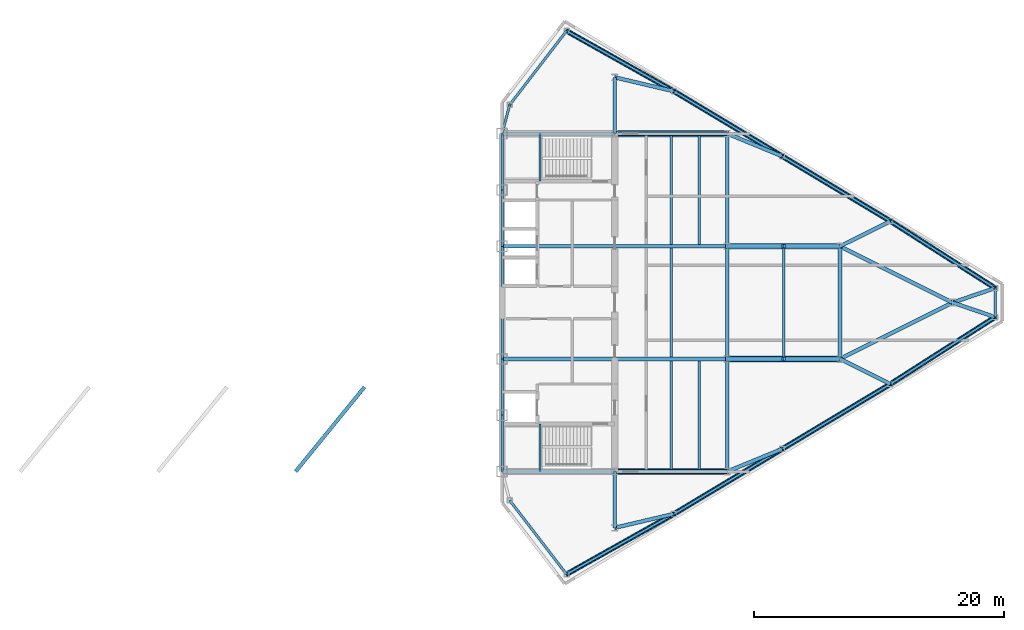
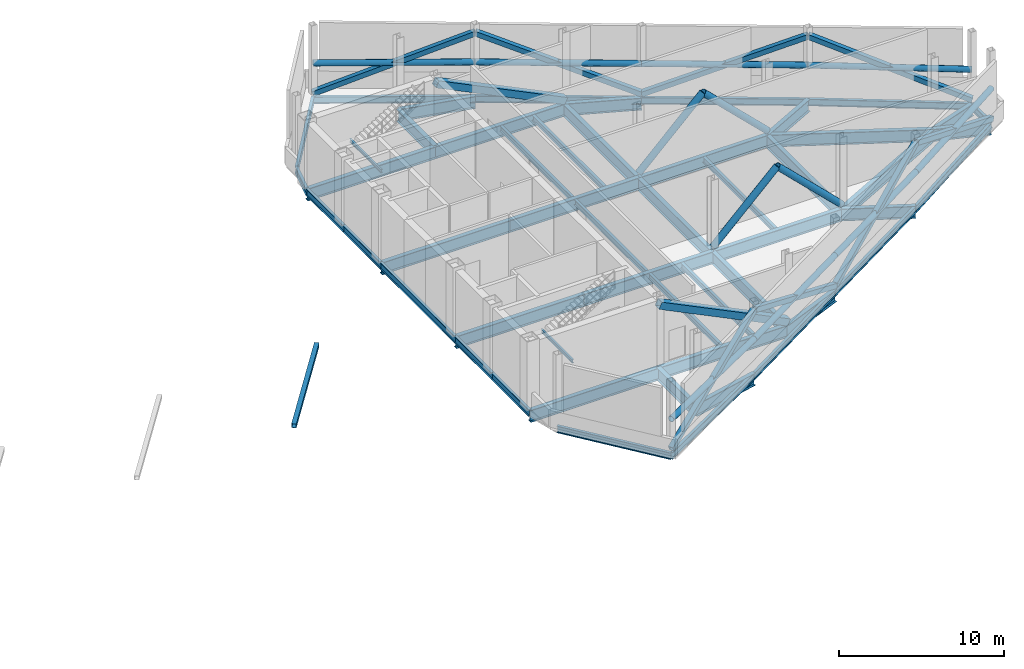
# One storey, part 6 of 13: 51 beams, 23 members.
"""IFC4 building model written with IfcOpenShell, lengths in metres."""

from ifc_helpers import new_model, si_unit, direction, frame, origin, origin_2d, place, context, subcontext, project, spatial, hollow_rectangle, hollow_circle, i_section, extrude, source, transform, mapped, material, material_profile, profile_set, type_object, type_shapes, element, save


model = new_model("IFC4")

# Units and contexts
model_context = context("Model", 3, precision=1e-05, world=origin(), true_north=direction((0.0, 1.0)))
body_context = subcontext(model_context, "Body", "Model", "MODEL_VIEW")
ifc_project = project(units=[si_unit("LENGTHUNIT", "METRE"), si_unit("AREAUNIT", "SQUARE_METRE"), si_unit("VOLUMEUNIT", "CUBIC_METRE"), si_unit("PLANEANGLEUNIT", "RADIAN"), si_unit("MASSUNIT", "GRAM", prefix="KILO")], contexts=[model_context])

# Site, building, storey
site_placement = place(None, origin())
site = spatial("IfcSite", under=ifc_project, at=site_placement, CompositionType="ELEMENT")
building_placement = place(site_placement, origin())
building = spatial("IfcBuilding", under=site, at=building_placement, Name="Seokmaru Belvedere", CompositionType="ELEMENT")
storey_placement = place(building_placement, frame((0.0, 0.0, 224.699951171875)))
storey = spatial("IfcBuildingStorey", under=building, at=storey_placement, Name="L60", CompositionType="ELEMENT", Elevation=224.699951171875)

# Beams
ifc_material_1 = material(Name="Steel SM355 (355 MPa)", Category="steel")
ifc_material_profile_1 = material_profile(ifc_material_1, i_section(OverallWidth=0.199951171875, OverallDepth=0.5, WebThickness=0.010009765625, FlangeThickness=0.01611328125, at=origin_2d()), Name="H-500x200x10x16")
ifc_profile_set_1 = profile_set([ifc_material_profile_1], Name="Steel SM355 (355 MPa)")
beam_type_1 = type_object("IfcBeamType", Name="Perimeter Spandrel Beam H-500", PredefinedType="SPANDREL", material=ifc_profile_set_1)
shared_shape_1 = source(origin(), body_context, "Body", "SweptSolid", [
    extrude(i_section(OverallWidth=0.199951171875, OverallDepth=0.5, WebThickness=0.010009765625, FlangeThickness=0.01611328125, at=origin_2d()), origin(), (0.0, 0.0, 1.0), 4.5),
])
for number, where, z_axis, x_axis, name in (
    (1, (27.5, -13.5, -0.510009765625), (0.0, 1.0, 0.0), (-1.0, 0.0, 0.0), "L60 E Portal Spine Spandrel 1"),
    (2, (27.5, -9.0, -0.510009765625), (0.0, 1.0, 0.0), (-1.0, 0.0, 0.0), "L60 E Portal Spine Spandrel 2"),
    (3, (27.5, 4.5, -0.510009765625), (0.0, 1.0, 0.0), (-1.0, 0.0, 0.0), "L60 E Portal Spine Spandrel 4"),
    (4, (27.5, 9.0, -0.510009765625), (0.0, 1.0, 0.0), (-1.0, 0.0, 0.0), "L60 E Portal Spine Spandrel 5"),
):
    element("IfcBeam", number, at=place(storey_placement, frame(where, z_axis=z_axis, x_axis=x_axis)), inside=storey, type_object=beam_type_1, Name=name, PredefinedType="SPANDREL", context=body_context, shape_type="MappedRepresentation", body=[
        mapped(shared_shape_1, transform((0.0, 0.0, 0.0), scale=1.0)),
    ])
shared_shape_2 = source(origin(), body_context, "Body", "SweptSolid", [
    extrude(i_section(OverallWidth=0.199951171875, OverallDepth=0.5, WebThickness=0.010009765625, FlangeThickness=0.01611328125, at=origin_2d()), origin(), (0.0, 0.0, 1.0), 9.0),
])
beam_1_placement = place(storey_placement, frame((27.5, -4.5, -0.510009765625), z_axis=(0.0, 1.0, 0.0), x_axis=(-1.0, 0.0, 0.0)))
element("IfcBeam", 5, at=beam_1_placement, inside=storey, type_object=beam_type_1, Name="L60 E Portal Spine Spandrel 3", PredefinedType="SPANDREL", context=body_context, shape_type="MappedRepresentation", body=[
    mapped(shared_shape_2, transform((0.0, 0.0, 0.0), scale=1.0)),
])
ifc_material_profile_2 = material_profile(ifc_material_1, i_section(OverallWidth=0.300048828125, OverallDepth=0.89990234375, WebThickness=0.01611328125, FlangeThickness=0.028076171875, at=origin_2d()), Name="H-900x300x16x28")
ifc_profile_set_2 = profile_set([ifc_material_profile_2], Name="Steel SM355 (355 MPa)")
beam_type_2 = type_object("IfcBeamType", Name="Refuge Floor Girder H-900", PredefinedType="BEAM", material=ifc_profile_set_2)
shared_shape_3 = source(origin(), body_context, "Body", "SweptSolid", [
    extrude(i_section(OverallWidth=0.300048828125, OverallDepth=0.89990234375, WebThickness=0.01611328125, FlangeThickness=0.028076171875, at=origin_2d()), origin(), (0.0, 0.0, 1.0), 4.5),
])
for number, where, z_axis, x_axis, name in (
    (6, (36.5, -18.0, -0.7099609375), (0.0, 1.0, 0.0), (-1.0, 0.0, 0.0), "L60 E Core Shoulder Girder S"),
    (7, (36.5, 13.5, -0.7099609375), (0.0, 1.0, 0.0), (-1.0, 0.0, 0.0), "L60 E Core Shoulder Girder N"),
):
    element("IfcBeam", number, at=place(storey_placement, frame(where, z_axis=z_axis, x_axis=x_axis)), inside=storey, type_object=beam_type_2, Name=name, PredefinedType="BEAM", context=body_context, shape_type="MappedRepresentation", body=[
        mapped(shared_shape_3, transform((0.0, 0.0, 0.0), scale=1.0)),
    ])
shared_shape_4 = source(origin(), body_context, "Body", "SweptSolid", [
    extrude(i_section(OverallWidth=0.300048828125, OverallDepth=0.89990234375, WebThickness=0.01611328125, FlangeThickness=0.028076171875, at=origin_2d()), origin(), (0.0, 0.0, 1.0), 9.0),
])
for number, where, z_axis, x_axis, name in (
    (8, (45.5, -13.5, -0.7099609375), (0.0, 1.0, 0.0), (-1.0, 0.0, 0.0), "L60 E Interior Grid Girder 1"),
    (9, (45.5, -4.5, -0.7099609375), (0.0, 1.0, 0.0), (-1.0, 0.0, 0.0), "L60 E Interior Grid Girder 2"),
    (10, (45.5, 4.5, -0.7099609375), (0.0, 1.0, 0.0), (-1.0, 0.0, 0.0), "L60 E Interior Grid Girder 3"),
    (11, (27.5, -13.5, -0.7099609375), (1.0, 0.0, 0.0), (0.0, 1.0, 0.0), "L60 E Core Tie Girder 1"),
    (12, (36.5, -13.5, -0.7099609375), (1.0, 0.0, 0.0), (0.0, 1.0, 0.0), "L60 E Wing Primary Girder 1"),
    (13, (27.5, -4.5, -0.7099609375), (1.0, 0.0, 0.0), (0.0, 1.0, 0.0), "L60 E Core Tie Girder 2"),
    (14, (36.5, -4.5, -0.7099609375), (1.0, 0.0, 0.0), (0.0, 1.0, 0.0), "L60 E Wing Primary Girder 2"),
    (15, (27.5, 4.5, -0.7099609375), (1.0, 0.0, 0.0), (0.0, 1.0, 0.0), "L60 E Core Tie Girder 3"),
    (16, (36.5, 4.5, -0.7099609375), (1.0, 0.0, 0.0), (0.0, 1.0, 0.0), "L60 E Wing Primary Girder 3"),
    (17, (27.5, 13.5, -0.7099609375), (1.0, 0.0, 0.0), (0.0, 1.0, 0.0), "L60 E Core Tie Girder 4"),
    (18, (36.5, 13.5, -0.7099609375), (1.0, 0.0, 0.0), (0.0, 1.0, 0.0), "L60 E Wing Primary Girder 4"),
    (19, (45.5, -4.5, -0.7099609375), (1.0, 0.0, 0.0), (0.0, 1.0, 0.0), "L60 E Outer Wing Girder 1"),
    (20, (45.5, 4.5, -0.7099609375), (1.0, 0.0, 0.0), (0.0, 1.0, 0.0), "L60 E Outer Wing Girder 2"),
    (21, (54.5, -4.5, -0.7099609375), (0.0, 1.0, 0.0), (-1.0, 0.0, 0.0), "L60 E Apex Frame Girder"),
):
    element("IfcBeam", number, at=place(storey_placement, frame(where, z_axis=z_axis, x_axis=x_axis)), inside=storey, type_object=beam_type_2, Name=name, PredefinedType="BEAM", context=body_context, shape_type="MappedRepresentation", body=[
        mapped(shared_shape_4, transform((0.0, 0.0, 0.0), scale=1.0)),
    ])
shared_shape_5 = source(origin(), body_context, "Body", "SweptSolid", [
    extrude(i_section(OverallWidth=0.300048828125, OverallDepth=0.89990234375, WebThickness=0.01611328125, FlangeThickness=0.028076171875, at=origin_2d()), origin(), (0.0, 0.0, 1.0), 10.062255859375),
])
for number, where, z_axis, x_axis, name in (
    (22, (54.5, -4.5, -0.7099609375), (0.894427191, 0.4472135955, 0.0), (-0.4472135955, 0.894427191, 0.0), "L60 E Apex Converging Girder 1"),
    (23, (54.5, 4.5, -0.7099609375), (0.894427191, -0.4472135955, 0.0), (0.4472135955, 0.894427191, 0.0), "L60 E Apex Converging Girder 2"),
):
    element("IfcBeam", number, at=place(storey_placement, frame(where, z_axis=z_axis, x_axis=x_axis)), inside=storey, type_object=beam_type_2, Name=name, PredefinedType="BEAM", context=body_context, shape_type="MappedRepresentation", body=[
        mapped(shared_shape_5, transform((0.0, 0.0, 0.0), scale=1.0)),
    ])
ifc_material_profile_3 = material_profile(ifc_material_1, i_section(OverallWidth=0.199951171875, OverallDepth=0.39990234375, WebThickness=0.008056640625, FlangeThickness=0.012939453125, at=origin_2d()), Name="H-400x200x8x13")
ifc_profile_set_3 = profile_set([ifc_material_profile_3], Name="Steel SM355 (355 MPa)")
beam_type_3 = type_object("IfcBeamType", Name="Secondary Floor Joist H-400", PredefinedType="JOIST", material=ifc_profile_set_3)
shared_shape_6 = source(origin(), body_context, "Body", "SweptSolid", [
    extrude(i_section(OverallWidth=0.199951171875, OverallDepth=0.39990234375, WebThickness=0.008056640625, FlangeThickness=0.012939453125, at=origin_2d()), origin(), (0.0, 0.0, 1.0), 8.68994140625),
])
type_shapes(beam_type_3, [shared_shape_6])
for number, where, z_axis, x_axis, name in (
    (24, (43.25, -13.344970703125, -0.4599609375), (0.0, 1.0, 0.0), (-1.0, 0.0, 0.0), "L60 E Wing Inner Secondary Joist 1"),
    (25, (43.25, 4.655029296875, -0.4599609375), (0.0, 1.0, 0.0), (-1.0, 0.0, 0.0), "L60 E Wing Inner Secondary Joist 2"),
    (26, (41.0, -13.344970703125, -0.4599609375), (0.0, 1.0, 0.0), (-1.0, 0.0, 0.0), "L60 E Secondary Floor Joist 1"),
    (27, (41.0, -4.344970703125, -0.4599609375), (0.0, 1.0, 0.0), (-1.0, 0.0, 0.0), "L60 E Secondary Floor Joist 2"),
    (28, (41.0, 4.655029296875, -0.4599609375), (0.0, 1.0, 0.0), (-1.0, 0.0, 0.0), "L60 E Secondary Floor Joist 3"),
    (29, (50.0, -4.344970703125, -0.4599609375), (0.0, 1.0, 0.0), (-1.0, 0.0, 0.0), "L60 E Outer Bay Secondary Joist"),
):
    element("IfcBeam", number, at=place(storey_placement, frame(where, z_axis=z_axis, x_axis=x_axis)), inside=storey, type_object=beam_type_3, Name=name, PredefinedType="JOIST", context=body_context, shape_type="MappedRepresentation", body=[
        mapped(shared_shape_6, transform((0.0, 0.0, 0.0), scale=1.0)),
    ])
shared_shape_7 = source(origin(), body_context, "Body", "SweptSolid", [
    extrude(i_section(OverallWidth=0.199951171875, OverallDepth=0.5, WebThickness=0.010009765625, FlangeThickness=0.01611328125, at=origin_2d()), origin(), (0.0, 0.0, 1.0), 9.842041015625),
])
for number, where, z_axis, x_axis, name in (
    (30, (32.649658203125, -21.71044921875, -0.510009765625), (0.871782151818, 0.489893743349, 0.0), (-0.489893743349, 0.871782151818, 0.0), "L60 E Faceted Flank Spandrel S-1"),
    (31, (32.649658203125, 21.71044921875, -0.510009765625), (0.871782151818, -0.489893743349, 0.0), (0.489893743349, 0.871782151818, 0.0), "L60 E Faceted Flank Spandrel N-1"),
):
    element("IfcBeam", number, at=place(storey_placement, frame(where, z_axis=z_axis, x_axis=x_axis)), inside=storey, type_object=beam_type_1, Name=name, PredefinedType="SPANDREL", context=body_context, shape_type="MappedRepresentation", body=[
        mapped(shared_shape_7, transform((0.0, 0.0, 0.0), scale=1.0)),
    ])
shared_shape_8 = source(origin(), body_context, "Body", "SweptSolid", [
    extrude(i_section(OverallWidth=0.199951171875, OverallDepth=0.5, WebThickness=0.010009765625, FlangeThickness=0.01611328125, at=origin_2d()), origin(), (0.0, 0.0, 1.0), 10.087646484375),
])
for number, where, z_axis, x_axis, name in (
    (32, (41.229736328125, -16.888916015625, -0.510009765625), (0.857499332045, 0.514485078056, 0.0), (-0.514485078056, 0.857499332045, 0.0), "L60 E Faceted Flank Spandrel S-2"),
    (33, (49.8798828125, -11.698974609375, -0.510009765625), (0.857488654804, 0.514502873542, 0.0), (-0.514502873542, 0.857488654804, 0.0), "L60 E Faceted Flank Spandrel S-3"),
    (34, (41.229736328125, 16.888916015625, -0.510009765625), (0.857499332045, -0.514485078056, 0.0), (0.514485078056, 0.857499332045, 0.0), "L60 E Faceted Flank Spandrel N-2"),
    (35, (49.8798828125, 11.698974609375, -0.510009765625), (0.857488654804, -0.514502873542, 0.0), (0.514502873542, 0.857488654804, 0.0), "L60 E Faceted Flank Spandrel N-3"),
):
    element("IfcBeam", number, at=place(storey_placement, frame(where, z_axis=z_axis, x_axis=x_axis)), inside=storey, type_object=beam_type_1, Name=name, PredefinedType="SPANDREL", context=body_context, shape_type="MappedRepresentation", body=[
        mapped(shared_shape_8, transform((0.0, 0.0, 0.0), scale=1.0)),
    ])
shared_shape_9 = source(origin(), body_context, "Body", "SweptSolid", [
    extrude(i_section(OverallWidth=0.199951171875, OverallDepth=0.5, WebThickness=0.010009765625, FlangeThickness=0.01611328125, at=origin_2d()), origin(), (0.0, 0.0, 1.0), 9.932861328125),
])
for number, where, z_axis, x_axis, name in (
    (36, (58.530029296875, -6.5087890625, -0.510009765625), (0.842651960357, 0.538458609093, 0.0), (-0.538458609093, 0.842651960357, 0.0), "L60 E Faceted Flank Spandrel S-4"),
    (37, (58.530029296875, 6.5087890625, -0.510009765625), (0.842651960357, -0.538458609093, 0.0), (0.538458609093, 0.842651960357, 0.0), "L60 E Faceted Flank Spandrel N-4"),
):
    element("IfcBeam", number, at=place(storey_placement, frame(where, z_axis=z_axis, x_axis=x_axis)), inside=storey, type_object=beam_type_1, Name=name, PredefinedType="SPANDREL", context=body_context, shape_type="MappedRepresentation", body=[
        mapped(shared_shape_9, transform((0.0, 0.0, 0.0), scale=1.0)),
    ])
shared_shape_10 = source(origin(), body_context, "Body", "SweptSolid", [
    extrude(i_section(OverallWidth=0.199951171875, OverallDepth=0.5, WebThickness=0.010009765625, FlangeThickness=0.01611328125, at=origin_2d()), origin(), (0.0, 0.0, 1.0), 2.32080078125),
])
beam_2_placement = place(storey_placement, frame((66.89990234375, -1.160400390625, -0.510009765625), z_axis=(0.0, 1.0, 0.0), x_axis=(-1.0, 0.0, 0.0)))
element("IfcBeam", 38, at=beam_2_placement, inside=storey, type_object=beam_type_1, Name="L60 E Faceted Apex Spandrel", PredefinedType="SPANDREL", context=body_context, shape_type="MappedRepresentation", body=[
    mapped(shared_shape_10, transform((0.0, 0.0, 0.0), scale=1.0)),
])
shared_shape_11 = source(origin(), body_context, "Body", "SweptSolid", [
    extrude(i_section(OverallWidth=0.199951171875, OverallDepth=0.5, WebThickness=0.010009765625, FlangeThickness=0.01611328125, at=origin_2d()), origin(), (0.0, 0.0, 1.0), 7.4619140625),
])
for number, where, z_axis, x_axis, name in (
    (39, (32.649658203125, -21.71044921875, -0.510009765625), (-0.609702854945, 0.792630070507, 0.0), (-0.792630070507, -0.609702854945, 0.0), "L60 E Shoulder Chamfer Spandrel S"),
    (40, (32.649658203125, 21.71044921875, -0.510009765625), (-0.609702854945, -0.792630070507, 0.0), (0.792630070507, -0.609702854945, 0.0), "L60 E Shoulder Chamfer Spandrel N"),
):
    element("IfcBeam", number, at=place(storey_placement, frame(where, z_axis=z_axis, x_axis=x_axis)), inside=storey, type_object=beam_type_1, Name=name, PredefinedType="SPANDREL", context=body_context, shape_type="MappedRepresentation", body=[
        mapped(shared_shape_11, transform((0.0, 0.0, 0.0), scale=1.0)),
    ])
shared_shape_12 = source(origin(), body_context, "Body", "SweptSolid", [
    extrude(i_section(OverallWidth=0.199951171875, OverallDepth=0.5, WebThickness=0.010009765625, FlangeThickness=0.01611328125, at=origin_2d()), origin(), (0.0, 0.0, 1.0), 2.373046875),
])
type_shapes(beam_type_1, [shared_shape_1, shared_shape_2, shared_shape_7, shared_shape_8, shared_shape_9, shared_shape_10, shared_shape_11, shared_shape_12])
beam_3_placement = place(storey_placement, frame((28.10009765625, 15.7958984375, -0.510009765625), z_axis=(-0.252882558842, -0.967496982648, 0.0), x_axis=(0.967496982648, -0.252882558842, 0.0)))
element("IfcBeam", 41, at=beam_3_placement, inside=storey, type_object=beam_type_1, Name="L60 E Shoulder Spine Spandrel N", PredefinedType="SPANDREL", context=body_context, shape_type="MappedRepresentation", body=[
    mapped(shared_shape_12, transform((0.0, 0.0, 0.0), scale=1.0)),
])
shared_shape_13 = source(origin(), body_context, "Body", "SweptSolid", [
    extrude(i_section(OverallWidth=0.300048828125, OverallDepth=0.89990234375, WebThickness=0.01611328125, FlangeThickness=0.028076171875, at=origin_2d()), origin(), (0.0, 0.0, 1.0), 4.8583984375),
])
for number, where, z_axis, x_axis, name in (
    (42, (41.229736328125, -16.888916015625, -0.7099609375), (-0.97349948295, -0.228689214211, 0.0), (0.228689214211, -0.97349948295, 0.0), "L60 E Flank Radial Floor Girder S-1"),
    (43, (41.229736328125, 16.888916015625, -0.7099609375), (-0.97349948295, 0.228689214211, 0.0), (-0.228689214211, -0.97349948295, 0.0), "L60 E Flank Radial Floor Girder N-1"),
):
    element("IfcBeam", number, at=place(storey_placement, frame(where, z_axis=z_axis, x_axis=x_axis)), inside=storey, type_object=beam_type_2, Name=name, PredefinedType="BEAM", context=body_context, shape_type="MappedRepresentation", body=[
        mapped(shared_shape_13, transform((0.0, 0.0, 0.0), scale=1.0)),
    ])
shared_shape_14 = source(origin(), body_context, "Body", "SweptSolid", [
    extrude(i_section(OverallWidth=0.300048828125, OverallDepth=0.89990234375, WebThickness=0.01611328125, FlangeThickness=0.028076171875, at=origin_2d()), origin(), (0.0, 0.0, 1.0), 4.73583984375),
])
for number, where, z_axis, x_axis, name in (
    (44, (49.8798828125, -11.698974609375, -0.7099609375), (-0.924860562953, -0.380306375301, 0.0), (0.380306375301, -0.924860562953, 0.0), "L60 E Flank Radial Floor Girder S-2"),
    (45, (49.8798828125, 11.698974609375, -0.7099609375), (-0.924860562953, 0.380306375301, 0.0), (-0.380306375301, -0.924860562953, 0.0), "L60 E Flank Radial Floor Girder N-2"),
):
    element("IfcBeam", number, at=place(storey_placement, frame(where, z_axis=z_axis, x_axis=x_axis)), inside=storey, type_object=beam_type_2, Name=name, PredefinedType="BEAM", context=body_context, shape_type="MappedRepresentation", body=[
        mapped(shared_shape_14, transform((0.0, 0.0, 0.0), scale=1.0)),
    ])
shared_shape_15 = source(origin(), body_context, "Body", "SweptSolid", [
    extrude(i_section(OverallWidth=0.300048828125, OverallDepth=0.89990234375, WebThickness=0.01611328125, FlangeThickness=0.028076171875, at=origin_2d()), origin(), (0.0, 0.0, 1.0), 4.5029296875),
])
for number, where, z_axis, x_axis, name in (
    (46, (58.530029296875, -6.5087890625, -0.7099609375), (-0.894979532585, 0.446107202648, 0.0), (-0.446107202648, -0.894979532585, 0.0), "L60 E Flank Radial Floor Girder S-3"),
    (47, (58.530029296875, 6.5087890625, -0.7099609375), (-0.894979532585, -0.446107202648, 0.0), (0.446107202648, -0.894979532585, 0.0), "L60 E Flank Radial Floor Girder N-3"),
):
    element("IfcBeam", number, at=place(storey_placement, frame(where, z_axis=z_axis, x_axis=x_axis)), inside=storey, type_object=beam_type_2, Name=name, PredefinedType="BEAM", context=body_context, shape_type="MappedRepresentation", body=[
        mapped(shared_shape_15, transform((0.0, 0.0, 0.0), scale=1.0)),
    ])
shared_shape_16 = source(origin(), body_context, "Body", "SweptSolid", [
    extrude(i_section(OverallWidth=0.300048828125, OverallDepth=0.89990234375, WebThickness=0.01611328125, FlangeThickness=0.028076171875, at=origin_2d()), origin(), (0.0, 0.0, 1.0), 3.592529296875),
])
type_shapes(beam_type_2, [shared_shape_3, shared_shape_4, shared_shape_5, shared_shape_13, shared_shape_14, shared_shape_15, shared_shape_16])
for number, where, z_axis, x_axis, name in (
    (48, (66.89990234375, -1.160400390625, -0.7099609375), (-0.946395973048, 0.323008764893, 0.0), (-0.323008764893, -0.946395973048, 0.0), "L60 E Apex Radial Floor Girder 1"),
    (49, (66.89990234375, 1.160400390625, -0.7099609375), (-0.946395973048, -0.323008764893, 0.0), (0.323008764893, -0.946395973048, 0.0), "L60 E Apex Radial Floor Girder 2"),
):
    element("IfcBeam", number, at=place(storey_placement, frame(where, z_axis=z_axis, x_axis=x_axis)), inside=storey, type_object=beam_type_2, Name=name, PredefinedType="BEAM", context=body_context, shape_type="MappedRepresentation", body=[
        mapped(shared_shape_16, transform((0.0, 0.0, 0.0), scale=1.0)),
    ])

# Members
ifc_material_2 = material(Name="Steel HSA650 (650 MPa)", Category="steel")
ifc_material_profile_4 = material_profile(ifc_material_2, hollow_rectangle(XDim=0.5, YDim=0.5, WallThickness=0.02001953125, at=origin_2d()), Name="HSS-500x500x20")
ifc_profile_set_4 = profile_set([ifc_material_profile_4], Name="Steel HSA650 (650 MPa)")
member_type_1 = type_object("IfcMemberType", Name="Outrigger Truss Diagonal HSS-500", PredefinedType="BRACE", material=ifc_profile_set_4)
shared_shape_17 = source(origin(), body_context, "Body", "SweptSolid", [
    extrude(hollow_rectangle(XDim=0.5, YDim=0.5, WallThickness=0.02001953125, at=origin_2d()), origin(), (0.0, 0.0, 1.0), 10.013671875),
])
type_shapes(member_type_1, [shared_shape_17])
for number, where, z_axis, x_axis, name in (
    (50, (45.5, -13.5, 0.0), (-0.898772663323, 0.0, 0.438414985674), (0.0, -1.0, 0.0), "L60 E Outrigger Truss Diagonal 1A"),
    (51, (45.5, 13.5, 0.0), (-0.898772663323, 0.0, 0.438414985674), (0.0, -1.0, 0.0), "L60 E Outrigger Truss Diagonal 4A"),
):
    element("IfcMember", number, at=place(storey_placement, frame(where, z_axis=z_axis, x_axis=x_axis)), inside=storey, type_object=member_type_1, Name=name, PredefinedType="BRACE", context=body_context, shape_type="MappedRepresentation", body=[
        mapped(shared_shape_17, transform((0.0, 0.0, 0.0), scale=1.0)),
    ])
ifc_material_profile_5 = material_profile(ifc_material_2, hollow_circle(Radius=0.228515625, WallThickness=0.01611328125, at=origin_2d()), Name="CHS-457.2x16.0")
ifc_profile_set_5 = profile_set([ifc_material_profile_5], Name="Steel HSA650 (650 MPa)")
member_type_2 = type_object("IfcMemberType", Name="Outrigger Tie Strut CHS-457", PredefinedType="BRACE", material=ifc_profile_set_5)
shared_shape_18 = source(origin(), body_context, "Body", "SweptSolid", [
    extrude(hollow_circle(Radius=0.228515625, WallThickness=0.01611328125, at=origin_2d()), origin(), (0.0, 0.0, 1.0), 6.286865234375),
])
type_shapes(member_type_2, [shared_shape_18])
for number, where, z_axis, x_axis, name in (
    (52, (45.5, -4.5, 0.0), (0.715790470288, 0.0, 0.69831511701), (0.0, 1.0, 0.0), "L60 E Outrigger Truss Diagonal 2A"),
    (53, (54.5, -4.5, 0.0), (-0.715790470288, 0.0, 0.69831511701), (0.0, -1.0, 0.0), "L60 E Outrigger Truss Diagonal 2B"),
    (54, (45.5, 4.5, 0.0), (0.715790470288, 0.0, 0.69831511701), (0.0, 1.0, 0.0), "L60 E Outrigger Truss Diagonal 3A"),
    (55, (54.5, 4.5, 0.0), (-0.715790470288, 0.0, 0.69831511701), (0.0, -1.0, 0.0), "L60 E Outrigger Truss Diagonal 3B"),
):
    element("IfcMember", number, at=place(storey_placement, frame(where, z_axis=z_axis, x_axis=x_axis)), inside=storey, type_object=member_type_2, Name=name, PredefinedType="BRACE", context=body_context, shape_type="MappedRepresentation", body=[
        mapped(shared_shape_18, transform((0.0, 0.0, 0.0), scale=1.0)),
    ])
ifc_material_profile_6 = material_profile(ifc_material_2, hollow_rectangle(XDim=0.35009765625, YDim=0.35009765625, WallThickness=0.013916015625, at=origin_2d()), Name="HSS-350x350x14")
ifc_profile_set_6 = profile_set([ifc_material_profile_6], Name="Steel HSA650 (650 MPa)")
member_type_3 = type_object("IfcMemberType", Name="Belt Truss Diagonal HSS-350", PredefinedType="BRACE", material=ifc_profile_set_6)
shared_shape_19 = source(origin(), body_context, "Body", "SweptSolid", [
    extrude(hollow_rectangle(XDim=0.35009765625, YDim=0.35009765625, WallThickness=0.013916015625, at=origin_2d()), origin(), (0.0, 0.0, 1.0), 10.77685546875),
])
for number, where, z_axis, x_axis, name in (
    (56, (32.649658203125, -21.71044921875, 0.0), (0.796166047307, 0.447401640914, 0.40737132548), (-0.489893743349, 0.871782151818, 0.0), "L60 E Perimeter Belt Truss Brace 1"),
    (57, (32.649658203125, 21.71044921875, 0.0), (0.796166047307, -0.447401640914, 0.40737132548), (0.489893743349, 0.871782151818, 0.0), "L60 E Perimeter Belt Truss Brace 5"),
):
    element("IfcMember", number, at=place(storey_placement, frame(where, z_axis=z_axis, x_axis=x_axis)), inside=storey, type_object=member_type_3, Name=name, PredefinedType="BRACE", context=body_context, shape_type="MappedRepresentation", body=[
        mapped(shared_shape_19, transform((0.0, 0.0, 0.0), scale=1.0)),
    ])
ifc_material_profile_7 = material_profile(ifc_material_1, hollow_circle(Radius=0.203125, WallThickness=0.01416015625, at=origin_2d()), Name="CHS-406.4x14.2")
ifc_profile_set_7 = profile_set([ifc_material_profile_7], Name="Steel SM355 (355 MPa)")
member_type_4 = type_object("IfcMemberType", Name="Belt Truss Chord Member CHS-406", PredefinedType="CHORD", material=ifc_profile_set_7)
shared_shape_20 = source(origin(), body_context, "Body", "SweptSolid", [
    extrude(hollow_circle(Radius=0.203125, WallThickness=0.01416015625, at=origin_2d()), origin(), (0.0, 0.0, 1.0), 9.842041015625),
])
for number, where, z_axis, x_axis, name in (
    (58, (32.649658203125, -21.71044921875, 2.195068359375), (0.871782151818, 0.489893743349, 0.0), (-0.489893743349, 0.871782151818, 0.0), "L60 E Perimeter Belt Truss Chord 1"),
    (59, (32.649658203125, 21.71044921875, 2.195068359375), (0.871782151818, -0.489893743349, 0.0), (0.489893743349, 0.871782151818, 0.0), "L60 E Perimeter Belt Truss Chord 5"),
):
    element("IfcMember", number, at=place(storey_placement, frame(where, z_axis=z_axis, x_axis=x_axis)), inside=storey, type_object=member_type_4, Name=name, PredefinedType="CHORD", context=body_context, shape_type="MappedRepresentation", body=[
        mapped(shared_shape_20, transform((0.0, 0.0, 0.0), scale=1.0)),
    ])
shared_shape_21 = source(origin(), body_context, "Body", "SweptSolid", [
    extrude(hollow_rectangle(XDim=0.35009765625, YDim=0.35009765625, WallThickness=0.013916015625, at=origin_2d()), origin(), (0.0, 0.0, 1.0), 11.00146484375),
])
for number, where, z_axis, x_axis, name in (
    (60, (41.229736328125, -16.888916015625, 4.39013671875), (0.78626705753, 0.471746919618, -0.399047563673), (-0.514485078056, 0.857499332045, 0.0), "L60 E Perimeter Belt Truss Brace 2"),
    (61, (41.229736328125, 16.888916015625, 4.39013671875), (0.78626705753, -0.471746919618, -0.399047563673), (0.514485078056, 0.857499332045, 0.0), "L60 E Perimeter Belt Truss Brace 6"),
):
    element("IfcMember", number, at=place(storey_placement, frame(where, z_axis=z_axis, x_axis=x_axis)), inside=storey, type_object=member_type_3, Name=name, PredefinedType="BRACE", context=body_context, shape_type="MappedRepresentation", body=[
        mapped(shared_shape_21, transform((0.0, 0.0, 0.0), scale=1.0)),
    ])
shared_shape_22 = source(origin(), body_context, "Body", "SweptSolid", [
    extrude(hollow_circle(Radius=0.203125, WallThickness=0.01416015625, at=origin_2d()), origin(), (0.0, 0.0, 1.0), 10.087646484375),
])
for number, where, z_axis, x_axis, name in (
    (62, (41.229736328125, -16.888916015625, 2.195068359375), (0.857499332045, 0.514485078056, 0.0), (-0.514485078056, 0.857499332045, 0.0), "L60 E Perimeter Belt Truss Chord 2"),
    (63, (49.8798828125, -11.698974609375, 2.195068359375), (0.857488654804, 0.514502873542, 0.0), (-0.514502873542, 0.857488654804, 0.0), "L60 E Perimeter Belt Truss Chord 3"),
    (64, (41.229736328125, 16.888916015625, 2.195068359375), (0.857499332045, -0.514485078056, 0.0), (0.514485078056, 0.857499332045, 0.0), "L60 E Perimeter Belt Truss Chord 6"),
    (65, (49.8798828125, 11.698974609375, 2.195068359375), (0.857488654804, -0.514502873542, 0.0), (0.514502873542, 0.857488654804, 0.0), "L60 E Perimeter Belt Truss Chord 7"),
):
    element("IfcMember", number, at=place(storey_placement, frame(where, z_axis=z_axis, x_axis=x_axis)), inside=storey, type_object=member_type_4, Name=name, PredefinedType="CHORD", context=body_context, shape_type="MappedRepresentation", body=[
        mapped(shared_shape_22, transform((0.0, 0.0, 0.0), scale=1.0)),
    ])
shared_shape_23 = source(origin(), body_context, "Body", "SweptSolid", [
    extrude(hollow_rectangle(XDim=0.35009765625, YDim=0.35009765625, WallThickness=0.013916015625, at=origin_2d()), origin(), (0.0, 0.0, 1.0), 11.001708984375),
])
for number, where, z_axis, x_axis, name in (
    (66, (49.8798828125, -11.698974609375, 0.0), (0.786258826215, 0.471764172237, 0.399043386103), (-0.514502873542, 0.857488654804, 0.0), "L60 E Perimeter Belt Truss Brace 3"),
    (67, (49.8798828125, 11.698974609375, 0.0), (0.786258826215, -0.471764172237, 0.399043386103), (0.514502873542, 0.857488654804, 0.0), "L60 E Perimeter Belt Truss Brace 7"),
):
    element("IfcMember", number, at=place(storey_placement, frame(where, z_axis=z_axis, x_axis=x_axis)), inside=storey, type_object=member_type_3, Name=name, PredefinedType="BRACE", context=body_context, shape_type="MappedRepresentation", body=[
        mapped(shared_shape_23, transform((0.0, 0.0, 0.0), scale=1.0)),
    ])
shared_shape_24 = source(origin(), body_context, "Body", "SweptSolid", [
    extrude(hollow_rectangle(XDim=0.35009765625, YDim=0.35009765625, WallThickness=0.013916015625, at=origin_2d()), origin(), (0.0, 0.0, 1.0), 10.859619140625),
])
type_shapes(member_type_3, [shared_shape_19, shared_shape_21, shared_shape_23, shared_shape_24])
for number, where, z_axis, x_axis, name in (
    (68, (58.530029296875, -6.5087890625, 4.39013671875), (0.77072700773, 0.492498222394, -0.404259051221), (-0.538458609093, 0.842651960357, 0.0), "L60 E Perimeter Belt Truss Brace 4"),
    (69, (58.530029296875, 6.5087890625, 4.39013671875), (0.77072700773, -0.492498222394, -0.404259051221), (0.538458609093, 0.842651960357, 0.0), "L60 E Perimeter Belt Truss Brace 8"),
):
    element("IfcMember", number, at=place(storey_placement, frame(where, z_axis=z_axis, x_axis=x_axis)), inside=storey, type_object=member_type_3, Name=name, PredefinedType="BRACE", context=body_context, shape_type="MappedRepresentation", body=[
        mapped(shared_shape_24, transform((0.0, 0.0, 0.0), scale=1.0)),
    ])
shared_shape_25 = source(origin(), body_context, "Body", "SweptSolid", [
    extrude(hollow_circle(Radius=0.203125, WallThickness=0.01416015625, at=origin_2d()), origin(), (0.0, 0.0, 1.0), 9.932861328125),
])
type_shapes(member_type_4, [shared_shape_20, shared_shape_22, shared_shape_25])
for number, where, z_axis, x_axis, name in (
    (70, (58.530029296875, -6.5087890625, 2.195068359375), (0.842651960357, 0.538458609093, 0.0), (-0.538458609093, 0.842651960357, 0.0), "L60 E Perimeter Belt Truss Chord 4"),
    (71, (58.530029296875, 6.5087890625, 2.195068359375), (0.842651960357, -0.538458609093, 0.0), (0.538458609093, 0.842651960357, 0.0), "L60 E Perimeter Belt Truss Chord 8"),
):
    element("IfcMember", number, at=place(storey_placement, frame(where, z_axis=z_axis, x_axis=x_axis)), inside=storey, type_object=member_type_4, Name=name, PredefinedType="CHORD", context=body_context, shape_type="MappedRepresentation", body=[
        mapped(shared_shape_25, transform((0.0, 0.0, 0.0), scale=1.0)),
    ])
ifc_material_profile_8 = material_profile(ifc_material_1, hollow_rectangle(XDim=0.300048828125, YDim=0.300048828125, WallThickness=0.011962890625, at=origin_2d()), Name="HSS-300x300x12")
ifc_profile_set_8 = profile_set([ifc_material_profile_8], Name="Steel SM355 (355 MPa)")
member_type_5 = type_object("IfcMemberType", Name="Sky-Gate Transfer Truss Lateral Tie HSS-300", PredefinedType="CHORD", material=ifc_profile_set_8)
shared_shape_26 = source(origin(), body_context, "Body", "SweptSolid", [
    extrude(hollow_rectangle(XDim=0.300048828125, YDim=0.300048828125, WallThickness=0.011962890625, at=origin_2d()), origin(), (0.0, 0.0, 1.0), 8.70703125),
])
type_shapes(member_type_5, [shared_shape_26])
member_placement = place(storey_placement, frame((11.0, -13.5, 4.2900390625), z_axis=(0.631672951162, 0.775234985517, 0.0), x_axis=(-0.775234985517, 0.631672951162, 0.0)))
element("IfcMember", 72, at=member_placement, inside=storey, type_object=member_type_5, Name="L60 Sky-Gate Under-Deck Wind Tie L61-4", PredefinedType="CHORD", context=body_context, shape_type="MappedRepresentation", body=[
    mapped(shared_shape_26, transform((0.0, 0.0, 0.0), scale=1.0)),
])

# Beams
ifc_material_profile_9 = material_profile(ifc_material_1, i_section(OverallWidth=0.125, OverallDepth=0.25, WebThickness=0.006103515625, FlangeThickness=0.009033203125, at=origin_2d()), Name="H-250x125x6x9")
ifc_profile_set_9 = profile_set([ifc_material_profile_9], Name="Steel SM355 (355 MPa)")
beam_type_4 = type_object("IfcBeamType", Name="Stair Mid-Landing Support Beam H-250", PredefinedType="JOIST", material=ifc_profile_set_9)
shared_shape_27 = source(origin(), body_context, "Body", "SweptSolid", [
    extrude(i_section(OverallWidth=0.125, OverallDepth=0.25, WebThickness=0.006103515625, FlangeThickness=0.009033203125, at=origin_2d()), origin(), (0.0, 0.0, 1.0), 3.800048828125),
])
type_shapes(beam_type_4, [shared_shape_27])
for number, where, z_axis, x_axis, name in (
    (73, (30.530029296875, -13.5, 2.22509765625), (0.0, 1.0, 0.0), (-1.0, 0.0, 0.0), "L60 Stair ST-E1 Mid-Landing Support Beam 1"),
    (74, (30.530029296875, 9.699951171875, 2.22509765625), (0.0, 1.0, 0.0), (-1.0, 0.0, 0.0), "L60 Stair ST-E2 Mid-Landing Support Beam 1"),
):
    element("IfcBeam", number, at=place(storey_placement, frame(where, z_axis=z_axis, x_axis=x_axis)), inside=storey, type_object=beam_type_4, Name=name, PredefinedType="JOIST", context=body_context, shape_type="MappedRepresentation", body=[
        mapped(shared_shape_27, transform((0.0, 0.0, 0.0), scale=1.0)),
    ])

save(model, "model.ifc")
